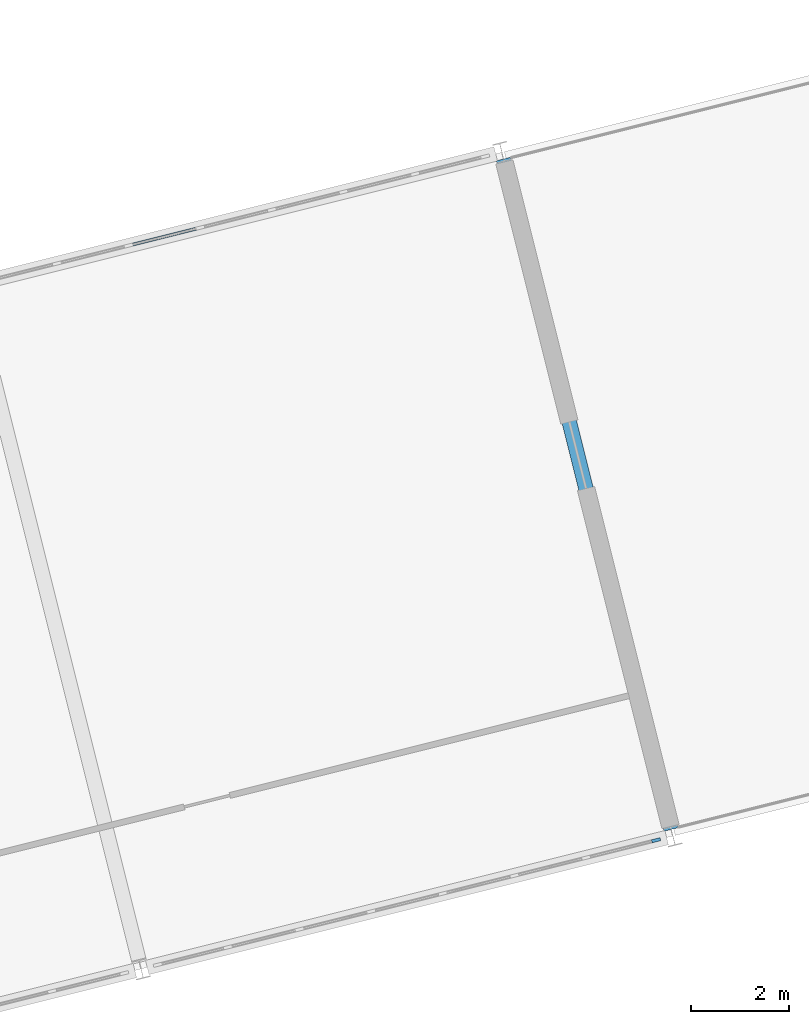
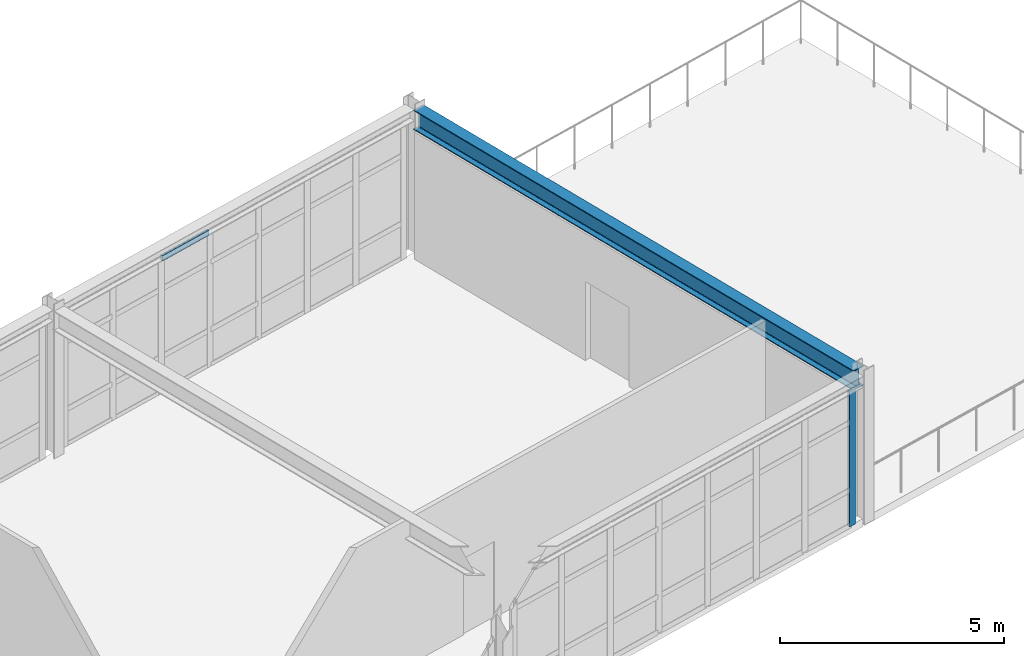
# One storey, part 18 of 64: 2 members, 1 beam, 2 elements without a shape of their own.
"""IFC4 building model written with IfcOpenShell, lengths in metres."""

from ifc_helpers import new_model, si_unit, direction, frame, origin, origin_2d, place, context, subcontext, project, spatial, rectangle, i_section, extrude, material, layer, layer_set, material_profile, profile_set, type_object, element, aggregate, save


model = new_model("IFC4")

# Units and contexts
model_context = context("Model", 3, precision=1e-05, world=origin(), true_north=direction((0.0, 1.0)))
body_context = subcontext(model_context, "Body", "Model", "MODEL_VIEW")
ifc_project = project(units=[si_unit("LENGTHUNIT", "METRE"), si_unit("AREAUNIT", "SQUARE_METRE"), si_unit("VOLUMEUNIT", "CUBIC_METRE"), si_unit("PLANEANGLEUNIT", "RADIAN"), si_unit("MASSUNIT", "GRAM", prefix="KILO")], contexts=[model_context])

# Site, building, storey
site_placement = place(None, origin())
site = spatial("IfcSite", under=ifc_project, at=site_placement, CompositionType="ELEMENT")
building_placement = place(site_placement, origin())
building = spatial("IfcBuilding", under=site, at=building_placement, Name="Nordkorset Police Headquarters", CompositionType="ELEMENT")
storey_placement = place(building_placement, frame((0.0, 0.0, 17.85009765625)))
storey = spatial("IfcBuildingStorey", under=building, at=storey_placement, Name="L04", CompositionType="ELEMENT", Elevation=17.85009765625)

# Curtain wall, member
ifc_material_1 = material(Name="Aluminium alloy AW-6060", Category="aluminium")
ifc_layer = layer(ifc_material_1, 0.179931640625, Name="Aluminium alloy AW-6060")
ifc_layer_set = layer_set([ifc_layer], Name="Aluminium alloy AW-6060")
curtain_wall_type = type_object("IfcCurtainWallType", Name="CW_Unit_1056x369", PredefinedType="USERDEFINED", material=ifc_layer_set)
curtain_wall_1_placement = place(storey_placement, origin())
curtain_wall_1 = element("IfcCurtainWall", 1, at=curtain_wall_1_placement, inside=storey, type_object=curtain_wall_type, Name="Unitised Curtain Wall L04 V4S-3", ObjectType="UNITISED CURTAIN WALL", PredefinedType="USERDEFINED")
ifc_material_2 = material(Name="Aluminium alloy AW-6060", Category="aluminium")
ifc_material_profile_1 = material_profile(ifc_material_2, rectangle(XDim=0.06494140625, YDim=0.179931640625, at=origin_2d()), Name="ALU MULL 65x180")
ifc_profile_set_1 = profile_set([ifc_material_profile_1], Name="Aluminium alloy AW-6060")
member_type_1 = type_object("IfcMemberType", Name="CW_Mullion_65x180", PredefinedType="MULLION", material=ifc_profile_set_1)
member_1_placement = place(storey_placement, frame((62.063720703125, 51.615966796875, 0.0), z_axis=(0.0, 0.0, 1.0), x_axis=(-0.242535179399, 0.970142611554, 0.0)))
member_1 = element("IfcMember", 2, at=member_1_placement, type_object=member_type_1, Name="CW-97 mullion 8", PredefinedType="MULLION", context=body_context, shape_type="SweptSolid", body=[
    extrude(rectangle(XDim=0.06494140625, YDim=0.179931640625, at=origin_2d()), origin(), (0.0, 0.0, 1.0), 3.69091796875),
])
aggregate(curtain_wall_1, [member_1])

curtain_wall_2_placement = place(storey_placement, origin())
curtain_wall_2 = element("IfcCurtainWall", 3, at=curtain_wall_2_placement, inside=storey, type_object=curtain_wall_type, Name="Unitised Curtain Wall L04 V4N-3", ObjectType="UNITISED CURTAIN WALL", PredefinedType="USERDEFINED")
ifc_material_3 = material(Name="Aluminium alloy AW-6060", Category="aluminium")
ifc_material_profile_2 = material_profile(ifc_material_3, rectangle(XDim=0.06494140625, YDim=0.139892578125, at=origin_2d()), Name="ALU TRAN 65x140")
ifc_profile_set_2 = profile_set([ifc_material_profile_2], Name="Aluminium alloy AW-6060")
member_type_2 = type_object("IfcMemberType", Name="CW_Transom_65x140", PredefinedType="USERDEFINED", material=ifc_profile_set_2)
member_2_placement = place(storey_placement, frame((51.316650390625, 63.772216796875, 3.658447265625), z_axis=(0.9701026929, 0.24269479852, 0.0), x_axis=(-0.24269479852, 0.9701026929, 0.0)))
member_2 = element("IfcMember", 4, at=member_2_placement, type_object=member_type_2, Name="CW-97 transom 3.4", ObjectType="TRANSOM", PredefinedType="USERDEFINED", context=body_context, shape_type="SweptSolid", body=[
    extrude(rectangle(XDim=0.06494140625, YDim=0.139892578125, at=origin_2d()), origin(), (0.0, 0.0, 1.0), 1.443603515625),
])
aggregate(curtain_wall_2, [member_2])

# Beam
ifc_material_4 = material(Name="Steel S355J2", Category="steel")
ifc_material_profile_3 = material_profile(ifc_material_4, i_section(OverallWidth=0.300048828125, OverallDepth=0.5400390625, WebThickness=0.012451171875, FlangeThickness=0.02392578125, FilletRadius=0.027099609375, at=origin_2d()), Name="HEA 550")
ifc_profile_set_3 = profile_set([ifc_material_profile_3], Name="Steel S355J2")
beam_type = type_object("IfcBeamType", Name="Girder_HEA_550", PredefinedType="USERDEFINED", material=ifc_profile_set_3)
beam_placement = place(storey_placement, frame((62.371826171875, 51.837158203125, 3.7509765625), z_axis=(-0.24254782991, 0.970139448845, 0.0), x_axis=(-0.970139448845, -0.24254782991, 0.0)))
element("IfcBeam", 5, at=beam_placement, inside=storey, type_object=beam_type, Name="Splayed Wing Transverse Girder L04 4", ObjectType="GIRDER", PredefinedType="USERDEFINED", context=body_context, shape_type="SweptSolid", body=[
    extrude(i_section(OverallWidth=0.300048828125, OverallDepth=0.5400390625, WebThickness=0.012451171875, FlangeThickness=0.02392578125, FilletRadius=0.027099609375, at=origin_2d()), origin(), (0.0, 0.0, 1.0), 14.1201171875),
])

save(model, "model.ifc")
